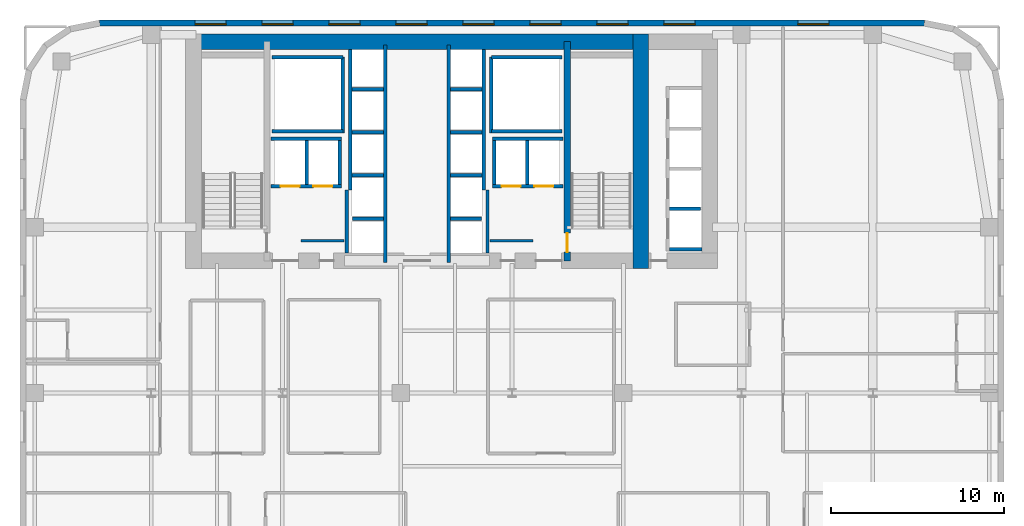
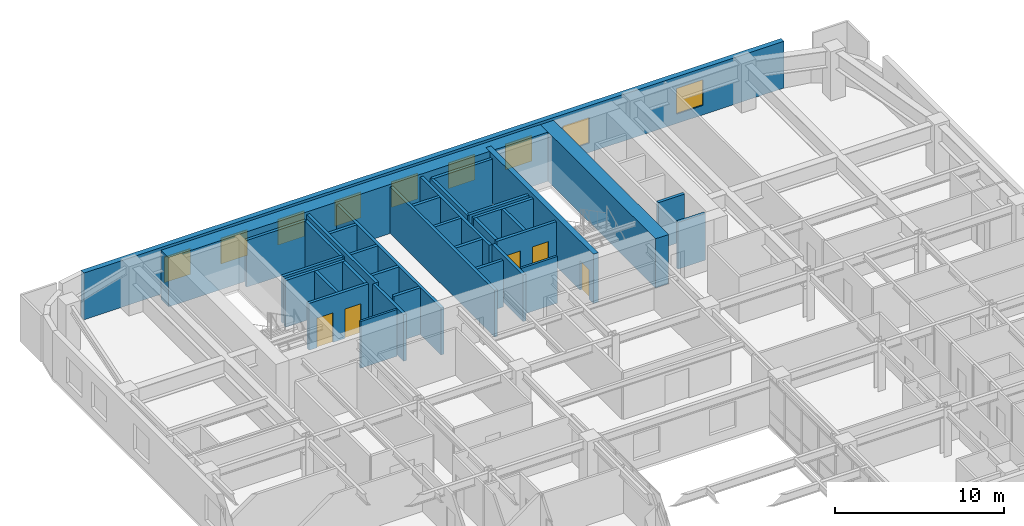
# One storey, part 14 of 16: 36 walls, 9 windows, 5 doors, 14 openings.
"""IFC4 building model written with IfcOpenShell, lengths in metres."""

import ifcopenshell
import ifcopenshell.guid

model = None  # the IFC model being written
_history = None  # IfcOwnerHistory: only IFC2X3 demands one
_inside = {}  # id of a spatial element -> (the spatial element, [elements in it])
_under = {}  # id of a project, library or spatial element -> (it, [spatial elements below it])
_declared = {}  # id of a project -> (the project, [libraries it declares])
_typed = {}  # id of a type object -> (the type object, [elements of that type])
_made_of = {}  # id of a material, layer set ... -> (it, [elements and type objects made of it])


def new_model(schema):
    """Start an empty IFC model of exactly this schema.

    Asked for "IFC4X3", IfcOpenShell would pick the latest addendum, in which some entities
    have other attributes; the version numbers below select the first issue.
    IFC2X3 requires an IfcOwnerHistory on every rooted entity: one is made here for all.
    """
    global model, _history
    if schema == "IFC4X3":
        model = ifcopenshell.file(schema_version=(4, 3, 0, 0))
    else:
        model = ifcopenshell.file(schema=schema)
    _inside.clear()
    _under.clear()
    _declared.clear()
    _typed.clear()
    _made_of.clear()
    _history = None
    if model.schema == "IFC2X3":
        org = make("IfcOrganization", Name="unknown")
        user = make(
            "IfcPersonAndOrganization",
            ThePerson=make("IfcPerson", FamilyName="unknown"),
            TheOrganization=org,
        )
        app = make(
            "IfcApplication",
            ApplicationDeveloper=org,
            Version="unknown",
            ApplicationFullName="unknown",
            ApplicationIdentifier="unknown",
        )
        _history = make(
            "IfcOwnerHistory",
            OwningUser=user,
            OwningApplication=app,
            ChangeAction="ADDED",
            CreationDate=0,
        )
    return model


def make(cls, **values):
    """One entity of the class cls with the attributes given. An attribute that is None is left unset."""
    return model.create_entity(
        cls, **{name: value for name, value in values.items() if value is not None}
    )


def rooted(cls, **values):
    """An entity with a GlobalId (a new one), such as an element, a storey or a relation."""
    return make(cls, GlobalId=ifcopenshell.guid.new(), OwnerHistory=_history, **values)


def si_unit(unit_type, name, prefix=None):
    """IfcSIUnit, for example si_unit("LENGTHUNIT", "METRE", prefix="MILLI")."""
    return make("IfcSIUnit", UnitType=unit_type, Prefix=prefix, Name=name)


def assignment(units):
    """IfcUnitAssignment: the units of a project."""
    return None if units is None else make("IfcUnitAssignment", Units=units)


def point(xyz):
    """IfcCartesianPoint."""
    return None if xyz is None else make("IfcCartesianPoint", Coordinates=xyz)


def direction(xyz):
    """IfcDirection."""
    return None if xyz is None else make("IfcDirection", DirectionRatios=xyz)


def frame(location, z_axis=None, x_axis=None):
    """IfcAxis2Placement3D, a coordinate frame: its origin and axes. An axis left out is left unset."""
    return make(
        "IfcAxis2Placement3D",
        Location=point(location),
        Axis=direction(z_axis),
        RefDirection=direction(x_axis),
    )


def frame_2d(location, x_axis=None):
    """IfcAxis2Placement2D, a coordinate frame in the plane: its origin and x axis."""
    return make(
        "IfcAxis2Placement2D", Location=point(location), RefDirection=direction(x_axis)
    )


def origin():
    """The frame at (0, 0, 0) with its axes left unset."""
    return frame((0.0, 0.0, 0.0))


def place(relative_to, where):
    """IfcLocalPlacement: puts the frame where relative to a parent placement (None: the world)."""
    return make(
        "IfcLocalPlacement", PlacementRelTo=relative_to, RelativePlacement=where
    )


def context(
    kind, dimensions, precision=None, world=None, true_north=None, identifier=None
):
    """IfcGeometricRepresentationContext, for example the 3D "Model" context."""
    return make(
        "IfcGeometricRepresentationContext",
        ContextIdentifier=identifier,
        ContextType=kind,
        CoordinateSpaceDimension=dimensions,
        Precision=precision,
        WorldCoordinateSystem=world,
        TrueNorth=true_north,
    )


def subcontext(parent, identifier, kind, view, scale=None):
    """IfcGeometricRepresentationSubContext, for example "Body" below "Model"."""
    return make(
        "IfcGeometricRepresentationSubContext",
        ContextIdentifier=identifier,
        ContextType=kind,
        ParentContext=parent,
        TargetScale=scale,
        TargetView=view,
    )


def project(units=None, contexts=None):
    """IfcProject with its units and contexts."""
    return rooted(
        "IfcProject",
        Name="project",
        RepresentationContexts=contexts,
        UnitsInContext=assignment(units),
    )


def spatial(cls, under=None, at=None, **own):
    """A site, building, storey or space (cls), placed at a placement, below another one or the project."""
    s = rooted(cls, ObjectPlacement=at, **own)
    if under is not None:
        _under.setdefault(under.id(), (under, []))[1].append(s)
    return s


def profile(cls, at=None, kind="AREA", **sizes):
    """A parametric profile (cls). Its sizes go by their IFC names, for example OverallWidth=200.0."""
    return make(cls, ProfileType=kind, Position=at, **sizes)


def rectangle(**sizes):
    """IfcRectangleProfileDef."""
    return profile("IfcRectangleProfileDef", **sizes)


def extrude(swept, where, along, depth):
    """IfcExtrudedAreaSolid: the profile swept, set in the frame where, extruded along a direction by depth."""
    return make(
        "IfcExtrudedAreaSolid",
        SweptArea=swept,
        Position=where,
        ExtrudedDirection=direction(along),
        Depth=depth,
    )


def shape(context_of_items, identifier, shape_type, items):
    """IfcShapeRepresentation: the items that make up one representation, for example the "Body"."""
    return make(
        "IfcShapeRepresentation",
        ContextOfItems=context_of_items,
        RepresentationIdentifier=identifier,
        RepresentationType=shape_type,
        Items=items,
    )


def source(mapping_origin, context_of_items, identifier, shape_type, items):
    """IfcRepresentationMap: a shape defined once, which mapped items show again and again."""
    return make(
        "IfcRepresentationMap",
        MappingOrigin=mapping_origin,
        MappedRepresentation=shape(context_of_items, identifier, shape_type, items),
    )


def transform(
    local_origin,
    x_axis=None,
    y_axis=None,
    z_axis=None,
    scale=None,
    scale2=None,
    scale3=None,
    uniform=True,
):
    """IfcCartesianTransformationOperator3D, or its non-uniform kind. x_axis, y_axis, z_axis: its Axis1, 2, 3."""
    if uniform:
        return make(
            "IfcCartesianTransformationOperator3D",
            Axis1=direction(x_axis),
            Axis2=direction(y_axis),
            LocalOrigin=point(local_origin),
            Scale=scale,
            Axis3=direction(z_axis),
        )
    return make(
        "IfcCartesianTransformationOperator3DnonUniform",
        Axis1=direction(x_axis),
        Axis2=direction(y_axis),
        LocalOrigin=point(local_origin),
        Scale=scale,
        Axis3=direction(z_axis),
        Scale2=scale2,
        Scale3=scale3,
    )


def mapped(mapping_source, mapping_target):
    """IfcMappedItem: shows the shape of a source again, moved by a transform."""
    return make(
        "IfcMappedItem", MappingSource=mapping_source, MappingTarget=mapping_target
    )


def material(Name=None, Category=None):
    """IfcMaterial."""
    return make("IfcMaterial", Name=Name, Category=Category)


def layer(
    of_material, thickness, ventilated=None, Name=None, Category=None, Priority=None
):
    """IfcMaterialLayer: one layer of a wall or slab, of a material (None: an air gap)."""
    return make(
        "IfcMaterialLayer",
        Material=of_material,
        LayerThickness=thickness,
        IsVentilated=ventilated,
        Name=Name,
        Category=Category,
        Priority=Priority,
    )


def layer_set(layers, Name=None):
    """IfcMaterialLayerSet."""
    return make("IfcMaterialLayerSet", MaterialLayers=layers, LayerSetName=Name)


def made_of(thing, what):
    """Note that an element or type object is made of a material, layer set ...; save() writes the relation."""
    if what is not None:
        _made_of.setdefault(what.id(), (what, []))[1].append(thing)
    return thing


def type_object(cls, material=None, **own):
    """A type object (cls), such as IfcWallType, which elements share."""
    return made_of(rooted(cls, **own), material)


def type_shapes(of_type, sources):
    """Give a type object the sources (RepresentationMaps) that its elements show as mapped items."""
    of_type.RepresentationMaps = sources


def element(
    cls,
    number,
    at=None,
    inside=None,
    cuts=None,
    type_object=None,
    material=None,
    context=None,
    identifier="Body",
    shape_type=None,
    held_by="IfcProductDefinitionShape",
    body=None,
    shapes=None,
    **own,
):
    """One element of the class cls, such as IfcWall. Its Tag is "e" and its number.

    at: its placement. inside: the storey or other place that contains it. cuts: it is an
    opening in that element (IfcRelVoidsElement). A single representation is given by context,
    identifier, shape_type and body (its items); several are given by shapes. held_by: the class
    of the entity that holds the representations. save() writes the other relations.
    """
    e = rooted(cls, Tag="e%d" % number, ObjectPlacement=at, **own)
    if body is not None:
        shapes = [shape(context, identifier, shape_type, body)]
    if shapes is not None:
        e.Representation = make(held_by, Representations=shapes)
    if inside is not None:
        _inside.setdefault(inside.id(), (inside, []))[1].append(e)
    if cuts is not None:
        rooted(
            "IfcRelVoidsElement", RelatingBuildingElement=cuts, RelatedOpeningElement=e
        )
    if type_object is not None:
        _typed.setdefault(type_object.id(), (type_object, []))[1].append(e)
    return made_of(e, material)


def fill(opening, filler):
    """IfcRelFillsElement: the door or window that sits in an opening."""
    return rooted(
        "IfcRelFillsElement",
        RelatingOpeningElement=opening,
        RelatedBuildingElement=filler,
    )


def aggregate(whole, parts):
    """IfcRelAggregates: a whole, such as a stair, and the parts it consists of."""
    return rooted("IfcRelAggregates", RelatingObject=whole, RelatedObjects=parts)


def save(model, path):
    """Write the relations noted so far, then the file.

    IfcRelAggregates (storeys below a building ...), IfcRelContainedInSpatialStructure (elements
    in a storey), IfcRelDefinesByType, IfcRelAssociatesMaterial and IfcRelDeclares: one each for
    every whole, place, type object, material and project.
    """
    for whole, parts in _under.values():
        aggregate(whole, parts)
    for where, things in _inside.values():
        rooted(
            "IfcRelContainedInSpatialStructure",
            RelatedElements=things,
            RelatingStructure=where,
        )
    for kind, things in _typed.values():
        rooted("IfcRelDefinesByType", RelatedObjects=things, RelatingType=kind)
    for what, things in _made_of.values():
        rooted("IfcRelAssociatesMaterial", RelatedObjects=things, RelatingMaterial=what)
    for by, libraries in _declared.values():
        rooted("IfcRelDeclares", RelatingContext=by, RelatedDefinitions=libraries)
    model.write(path)


model = new_model("IFC4")

# Units and contexts
model_context = context("Model", 3, precision=1e-05, world=origin(), true_north=direction((0.0, 1.0)))
body_context = subcontext(model_context, "Body", "Model", "MODEL_VIEW")
ifc_project = project(units=[si_unit("LENGTHUNIT", "METRE"), si_unit("AREAUNIT", "SQUARE_METRE"), si_unit("VOLUMEUNIT", "CUBIC_METRE"), si_unit("PLANEANGLEUNIT", "RADIAN"), si_unit("MASSUNIT", "GRAM", prefix="KILO")], contexts=[model_context])

# Site, building, storey
site_placement = place(None, origin())
site = spatial("IfcSite", under=ifc_project, at=site_placement, CompositionType="ELEMENT")
building_placement = place(site_placement, origin())
building = spatial("IfcBuilding", under=site, at=building_placement, Name="Tolvann Quenvar Hotel", CompositionType="ELEMENT")
storey_placement = place(building_placement, frame((0.0, 0.0, 71.050048828125)))
storey = spatial("IfcBuildingStorey", under=building, at=storey_placement, Name="L17", CompositionType="ELEMENT", Elevation=71.050048828125)

# Walls
ifc_material_1 = material(Name="Concrete S80 (80 MPa)", Category="concrete")
ifc_layer_1 = layer(ifc_material_1, 0.89990234375)
ifc_layer_set_1 = layer_set([ifc_layer_1], Name="Concrete S80 (80 MPa)")
wall_type_1 = type_object("IfcWallType", Name="WALL_CORE_900", PredefinedType="SHEAR", material=ifc_layer_set_1)
wall_1_placement = place(storey_placement, frame((9.60009765625, 44.75, 0.0), z_axis=(0.0, 0.0, 1.0), x_axis=(1.0, 0.0, 0.0)))
element("IfcWall", 1, at=wall_1_placement, inside=storey, type_object=wall_type_1, Name="Rear Core N Shear Wall (L17)", PredefinedType="SHEAR", context=body_context, shape_type="SweptSolid", body=[
    extrude(rectangle(XDim=26.7998046875, YDim=0.89990234375, at=frame_2d((13.39990234375, 0.0))), origin(), (0.0, 0.0, 1.0), 3.550048828125),
])
wall_2_placement = place(storey_placement, frame((35.949951171875, 31.60009765625, 0.0), z_axis=(0.0, 0.0, 1.0), x_axis=(0.0, 1.0, 0.0)))
element("IfcWall", 2, at=wall_2_placement, inside=storey, type_object=wall_type_1, Name="Rear Core E Shear Wall (L17)", PredefinedType="SHEAR", context=body_context, shape_type="SweptSolid", body=[
    extrude(rectangle(XDim=13.599853515625, YDim=0.89990234375, at=frame_2d((6.7998046875, 0.0))), origin(), (0.0, 0.0, 1.0), 3.550048828125),
])

# Wall, opening, door
ifc_material_2 = material(Name="Concrete S65 (65 MPa)", Category="concrete")
ifc_layer_2 = layer(ifc_material_2, 0.35009765625)
ifc_layer_set_2 = layer_set([ifc_layer_2], Name="Concrete S65 (65 MPa)")
wall_type_2 = type_object("IfcWallType", Name="WALL_CORE_INT_350", PredefinedType="SHEAR", material=ifc_layer_set_2)
wall_3_placement = place(storey_placement, frame((31.699951171875, 32.050048828125, 0.0), z_axis=(0.0, 0.0, 1.0), x_axis=(0.0, 1.0, 0.0)))
wall_3 = element("IfcWall", 3, at=wall_3_placement, inside=storey, type_object=wall_type_2, Name="Core Internal Web Shear Wall WEB-E (L17)", PredefinedType="SHEAR", context=body_context, shape_type="SweptSolid", body=[
    extrude(rectangle(XDim=12.699951171875, YDim=0.35009765625, at=frame_2d((6.35009765625, 0.0))), origin(), (0.0, 0.0, 1.0), 3.550048828125),
])
opening_1_placement = place(wall_3_placement, frame((1.60009765625, 0.0, 0.0), z_axis=(0.0, 0.0, 1.0), x_axis=(-1.0, 0.0, 0.0)))
opening_1 = element("IfcOpeningElement", 4, at=opening_1_placement, cuts=wall_3, Name="Opening FD-120", PredefinedType="OPENING", context=body_context, shape_type="SweptSolid", body=[
    extrude(rectangle(XDim=1.10009765625, YDim=2.1201171875, at=frame_2d((0.550048828125, 1.06005859375))), frame((0.0, 0.18505859375, 0.0), z_axis=(0.0, -1.0, 0.0), x_axis=(1.0, 0.0, 0.0)), (0.0, 0.0, 1.0), 0.3701171875),
])
ifc_material_3 = material(Name="Pressed galvanised steel fire-rated door set", Category="steel")
door_type_1 = type_object("IfcDoorType", Name="DOOR_FIRE_STAIR_1100", OperationType="NOTDEFINED", PredefinedType="DOOR", material=ifc_material_3)
shared_shape_1 = source(origin(), body_context, "Body", "SweptSolid", [
    extrude(rectangle(XDim=1.10009765625, YDim=2.1201171875, at=frame_2d((0.550048828125, 1.06005859375))), frame((0.0, 0.02490234375, 0.0), z_axis=(0.0, -1.0, 0.0), x_axis=(1.0, 0.0, 0.0)), (0.0, 0.0, 1.0), 0.050048828125),
])
type_shapes(door_type_1, [shared_shape_1])
door_1_placement = place(opening_1_placement, origin())
door_1 = element("IfcDoor", 5, at=door_1_placement, inside=storey, type_object=door_type_1, Name="Exit Stair ST-C2 Fire Door (L17)", OperationType="SINGLE_SWING_RIGHT", OverallHeight=2.1201171875, OverallWidth=1.10009765625, PredefinedType="DOOR", context=body_context, shape_type="MappedRepresentation", body=[
    mapped(shared_shape_1, transform((0.0, 0.0, 0.0), x_axis=(1.0, 0.0, 0.0), y_axis=(0.0, 1.0, 0.0), z_axis=(0.0, 0.0, 1.0), scale=1.0)),
])
fill(opening_1, door_1)

# Wall, openings, windows
ifc_material_4 = material(Name="Kiln-fired red and buff architectural clay brickwork and terracotta masonry", Category="masonry")
ifc_layer_3 = layer(ifc_material_4, 0.35009765625)
ifc_layer_set_3 = layer_set([ifc_layer_3], Name="Kiln-fired red and buff architectural clay brickwork and terracotta masonry")
wall_type_3 = type_object("IfcWallType", Name="WALL_EXT_BRICK_350", PredefinedType="SOLIDWALL", material=ifc_layer_set_3)
wall_4_placement = place(storey_placement, frame((52.3828125, 45.824951171875, 0.0), z_axis=(0.0, 0.0, 1.0), x_axis=(-1.0, 0.0, 0.0)))
wall_4 = element("IfcWall", 6, at=wall_4_placement, inside=storey, type_object=wall_type_3, Name="Exterior Chicago Brick Wall L17-E18", PredefinedType="SOLIDWALL", context=body_context, shape_type="SweptSolid", body=[
    extrude(rectangle(XDim=47.765625, YDim=0.35009765625, at=frame_2d((23.8828125, 0.0))), origin(), (0.0, 0.0, 1.0), 3.369873046875),
])
opening_2_placement = place(wall_4_placement, frame((5.52099609375, 0.0, 0.679931640625)))
opening_2 = element("IfcOpeningElement", 7, at=opening_2_placement, cuts=wall_4, Name="Opening W-03", PredefinedType="OPENING", context=body_context, shape_type="SweptSolid", body=[
    extrude(rectangle(XDim=1.800048828125, YDim=1.85009765625, at=frame_2d((0.89990234375, 0.925048828125))), frame((0.0, 0.18505859375, 0.0), z_axis=(0.0, -1.0, 0.0), x_axis=(1.0, 0.0, 0.0)), (0.0, 0.0, 1.0), 0.3701171875),
])
opening_3_placement = place(wall_4_placement, frame((13.281982421875, 0.0, 0.679931640625)))
opening_3 = element("IfcOpeningElement", 8, at=opening_3_placement, cuts=wall_4, Name="Opening W-03", PredefinedType="OPENING", context=body_context, shape_type="SweptSolid", body=[
    extrude(rectangle(XDim=1.800048828125, YDim=1.85009765625, at=frame_2d((0.89990234375, 0.925048828125))), frame((0.0, 0.18505859375, 0.0), z_axis=(0.0, -1.0, 0.0), x_axis=(1.0, 0.0, 0.0)), (0.0, 0.0, 1.0), 0.3701171875),
])
opening_4_placement = place(wall_4_placement, frame((17.162109375, 0.0, 0.679931640625)))
opening_4 = element("IfcOpeningElement", 9, at=opening_4_placement, cuts=wall_4, Name="Opening W-03", PredefinedType="OPENING", context=body_context, shape_type="SweptSolid", body=[
    extrude(rectangle(XDim=1.800048828125, YDim=1.85009765625, at=frame_2d((0.89990234375, 0.925048828125))), frame((0.0, 0.18505859375, 0.0), z_axis=(0.0, -1.0, 0.0), x_axis=(1.0, 0.0, 0.0)), (0.0, 0.0, 1.0), 0.3701171875),
])
opening_5_placement = place(wall_4_placement, frame((21.04296875, 0.0, 0.679931640625)))
opening_5 = element("IfcOpeningElement", 10, at=opening_5_placement, cuts=wall_4, Name="Opening W-03", PredefinedType="OPENING", context=body_context, shape_type="SweptSolid", body=[
    extrude(rectangle(XDim=1.800048828125, YDim=1.85009765625, at=frame_2d((0.89990234375, 0.925048828125))), frame((0.0, 0.18505859375, 0.0), z_axis=(0.0, -1.0, 0.0), x_axis=(1.0, 0.0, 0.0)), (0.0, 0.0, 1.0), 0.3701171875),
])
opening_6_placement = place(wall_4_placement, frame((24.923095703125, 0.0, 0.679931640625)))
opening_6 = element("IfcOpeningElement", 11, at=opening_6_placement, cuts=wall_4, Name="Opening W-03", PredefinedType="OPENING", context=body_context, shape_type="SweptSolid", body=[
    extrude(rectangle(XDim=1.800048828125, YDim=1.85009765625, at=frame_2d((0.89990234375, 0.925048828125))), frame((0.0, 0.18505859375, 0.0), z_axis=(0.0, -1.0, 0.0), x_axis=(1.0, 0.0, 0.0)), (0.0, 0.0, 1.0), 0.3701171875),
])
opening_7_placement = place(wall_4_placement, frame((28.803955078125, 0.0, 0.679931640625)))
opening_7 = element("IfcOpeningElement", 12, at=opening_7_placement, cuts=wall_4, Name="Opening W-03", PredefinedType="OPENING", context=body_context, shape_type="SweptSolid", body=[
    extrude(rectangle(XDim=1.800048828125, YDim=1.85009765625, at=frame_2d((0.89990234375, 0.925048828125))), frame((0.0, 0.18505859375, 0.0), z_axis=(0.0, -1.0, 0.0), x_axis=(1.0, 0.0, 0.0)), (0.0, 0.0, 1.0), 0.3701171875),
])
opening_8_placement = place(wall_4_placement, frame((32.68408203125, 0.0, 0.679931640625)))
opening_8 = element("IfcOpeningElement", 13, at=opening_8_placement, cuts=wall_4, Name="Opening W-03", PredefinedType="OPENING", context=body_context, shape_type="SweptSolid", body=[
    extrude(rectangle(XDim=1.800048828125, YDim=1.85009765625, at=frame_2d((0.89990234375, 0.925048828125))), frame((0.0, 0.18505859375, 0.0), z_axis=(0.0, -1.0, 0.0), x_axis=(1.0, 0.0, 0.0)), (0.0, 0.0, 1.0), 0.3701171875),
])
opening_9_placement = place(wall_4_placement, frame((36.56396484375, 0.0, 0.679931640625)))
opening_9 = element("IfcOpeningElement", 14, at=opening_9_placement, cuts=wall_4, Name="Opening W-03", PredefinedType="OPENING", context=body_context, shape_type="SweptSolid", body=[
    extrude(rectangle(XDim=1.800048828125, YDim=1.85009765625, at=frame_2d((0.89990234375, 0.925048828125))), frame((0.0, 0.18505859375, 0.0), z_axis=(0.0, -1.0, 0.0), x_axis=(1.0, 0.0, 0.0)), (0.0, 0.0, 1.0), 0.3701171875),
])
opening_10_placement = place(wall_4_placement, frame((40.445068359375, 0.0, 0.679931640625)))
opening_10 = element("IfcOpeningElement", 15, at=opening_10_placement, cuts=wall_4, Name="Opening W-03", PredefinedType="OPENING", context=body_context, shape_type="SweptSolid", body=[
    extrude(rectangle(XDim=1.800048828125, YDim=1.85009765625, at=frame_2d((0.89990234375, 0.925048828125))), frame((0.0, 0.18505859375, 0.0), z_axis=(0.0, -1.0, 0.0), x_axis=(1.0, 0.0, 0.0)), (0.0, 0.0, 1.0), 0.3701171875),
])
ifc_material_5 = material(Name="Thermally broken bronze-anodised aluminium frame with double low-E glazing", Category="aluminium")
window_type = type_object("IfcWindowType", Name="WIN_CHI_1800x2050", PartitioningType="TRIPLE_PANEL_HORIZONTAL", PredefinedType="WINDOW", material=ifc_material_5)
shared_shape_2 = source(origin(), body_context, "Body", "SweptSolid", [
    extrude(rectangle(XDim=1.800048828125, YDim=1.85009765625, at=frame_2d((0.89990234375, 0.925048828125))), frame((0.0, 0.090087890625, 0.0), z_axis=(0.0, -1.0, 0.0), x_axis=(1.0, 0.0, 0.0)), (0.0, 0.0, 1.0), 0.06005859375),
])
type_shapes(window_type, [shared_shape_2])
window_1_placement = place(opening_2_placement, origin())
window_1 = element("IfcWindow", 16, at=window_1_placement, inside=storey, type_object=window_type, Name="Chicago Window W-03 (EW-L17-E18-W01)", OverallHeight=1.85009765625, OverallWidth=1.800048828125, PartitioningType="TRIPLE_PANEL_HORIZONTAL", PredefinedType="WINDOW", context=body_context, shape_type="MappedRepresentation", body=[
    mapped(shared_shape_2, transform((0.0, 0.0, 0.0), x_axis=(1.0, 0.0, 0.0), y_axis=(0.0, 1.0, 0.0), z_axis=(0.0, 0.0, 1.0), scale=1.0)),
])
fill(opening_2, window_1)
window_2_placement = place(opening_3_placement, origin())
window_2 = element("IfcWindow", 17, at=window_2_placement, inside=storey, type_object=window_type, Name="Chicago Window W-03 (EW-L17-E18-W02)", OverallHeight=1.85009765625, OverallWidth=1.800048828125, PartitioningType="TRIPLE_PANEL_HORIZONTAL", PredefinedType="WINDOW", context=body_context, shape_type="MappedRepresentation", body=[
    mapped(shared_shape_2, transform((0.0, 0.0, 0.0), x_axis=(1.0, 0.0, 0.0), y_axis=(0.0, 1.0, 0.0), z_axis=(0.0, 0.0, 1.0), scale=1.0)),
])
fill(opening_3, window_2)
window_3_placement = place(opening_4_placement, origin())
window_3 = element("IfcWindow", 18, at=window_3_placement, inside=storey, type_object=window_type, Name="Chicago Window W-03 (EW-L17-E18-W03)", OverallHeight=1.85009765625, OverallWidth=1.800048828125, PartitioningType="TRIPLE_PANEL_HORIZONTAL", PredefinedType="WINDOW", context=body_context, shape_type="MappedRepresentation", body=[
    mapped(shared_shape_2, transform((0.0, 0.0, 0.0), x_axis=(1.0, 0.0, 0.0), y_axis=(0.0, 1.0, 0.0), z_axis=(0.0, 0.0, 1.0), scale=1.0)),
])
fill(opening_4, window_3)
window_4_placement = place(opening_5_placement, origin())
window_4 = element("IfcWindow", 19, at=window_4_placement, inside=storey, type_object=window_type, Name="Chicago Window W-03 (EW-L17-E18-W04)", OverallHeight=1.85009765625, OverallWidth=1.800048828125, PartitioningType="TRIPLE_PANEL_HORIZONTAL", PredefinedType="WINDOW", context=body_context, shape_type="MappedRepresentation", body=[
    mapped(shared_shape_2, transform((0.0, 0.0, 0.0), x_axis=(1.0, 0.0, 0.0), y_axis=(0.0, 1.0, 0.0), z_axis=(0.0, 0.0, 1.0), scale=1.0)),
])
fill(opening_5, window_4)
window_5_placement = place(opening_6_placement, origin())
window_5 = element("IfcWindow", 20, at=window_5_placement, inside=storey, type_object=window_type, Name="Chicago Window W-03 (EW-L17-E18-W05)", OverallHeight=1.85009765625, OverallWidth=1.800048828125, PartitioningType="TRIPLE_PANEL_HORIZONTAL", PredefinedType="WINDOW", context=body_context, shape_type="MappedRepresentation", body=[
    mapped(shared_shape_2, transform((0.0, 0.0, 0.0), x_axis=(1.0, 0.0, 0.0), y_axis=(0.0, 1.0, 0.0), z_axis=(0.0, 0.0, 1.0), scale=1.0)),
])
fill(opening_6, window_5)
window_6_placement = place(opening_7_placement, origin())
window_6 = element("IfcWindow", 21, at=window_6_placement, inside=storey, type_object=window_type, Name="Chicago Window W-03 (EW-L17-E18-W06)", OverallHeight=1.85009765625, OverallWidth=1.800048828125, PartitioningType="TRIPLE_PANEL_HORIZONTAL", PredefinedType="WINDOW", context=body_context, shape_type="MappedRepresentation", body=[
    mapped(shared_shape_2, transform((0.0, 0.0, 0.0), x_axis=(1.0, 0.0, 0.0), y_axis=(0.0, 1.0, 0.0), z_axis=(0.0, 0.0, 1.0), scale=1.0)),
])
fill(opening_7, window_6)
window_7_placement = place(opening_8_placement, origin())
window_7 = element("IfcWindow", 22, at=window_7_placement, inside=storey, type_object=window_type, Name="Chicago Window W-03 (EW-L17-E18-W07)", OverallHeight=1.85009765625, OverallWidth=1.800048828125, PartitioningType="TRIPLE_PANEL_HORIZONTAL", PredefinedType="WINDOW", context=body_context, shape_type="MappedRepresentation", body=[
    mapped(shared_shape_2, transform((0.0, 0.0, 0.0), x_axis=(1.0, 0.0, 0.0), y_axis=(0.0, 1.0, 0.0), z_axis=(0.0, 0.0, 1.0), scale=1.0)),
])
fill(opening_8, window_7)
window_8_placement = place(opening_9_placement, origin())
window_8 = element("IfcWindow", 23, at=window_8_placement, inside=storey, type_object=window_type, Name="Chicago Window W-03 (EW-L17-E18-W08)", OverallHeight=1.85009765625, OverallWidth=1.800048828125, PartitioningType="TRIPLE_PANEL_HORIZONTAL", PredefinedType="WINDOW", context=body_context, shape_type="MappedRepresentation", body=[
    mapped(shared_shape_2, transform((0.0, 0.0, 0.0), x_axis=(1.0, 0.0, 0.0), y_axis=(0.0, 1.0, 0.0), z_axis=(0.0, 0.0, 1.0), scale=1.0)),
])
fill(opening_9, window_8)
window_9_placement = place(opening_10_placement, origin())
window_9 = element("IfcWindow", 24, at=window_9_placement, inside=storey, type_object=window_type, Name="Chicago Window W-03 (EW-L17-E18-W09)", OverallHeight=1.85009765625, OverallWidth=1.800048828125, PartitioningType="TRIPLE_PANEL_HORIZONTAL", PredefinedType="WINDOW", context=body_context, shape_type="MappedRepresentation", body=[
    mapped(shared_shape_2, transform((0.0, 0.0, 0.0), x_axis=(1.0, 0.0, 0.0), y_axis=(0.0, 1.0, 0.0), z_axis=(0.0, 0.0, 1.0), scale=1.0)),
])
fill(opening_10, window_9)

# Walls
ifc_material_6 = material(Name="Acoustic twin-stud fire-rated gypsum plasterboard partition")
ifc_layer_4 = layer(ifc_material_6, 0.14990234375)
ifc_layer_set_4 = layer_set([ifc_layer_4], Name="Acoustic twin-stud fire-rated gypsum plasterboard partition")
wall_type_4 = type_object("IfcWallType", Name="WALL_PART_SUITE_150", PredefinedType="PARTITIONING", material=ifc_layer_set_4)
for number, where, z_axis, x_axis, name in (
    (25, (16.280029296875, 33.219970703125, 0.0), (0.0, 0.0, 1.0), (1.0, 0.0, 0.0), "Interior Partition PT-SPC-L17-CSW-1-N"),
    (26, (27.235107421875, 33.219970703125, 0.0), (0.0, 0.0, 1.0), (1.0, 0.0, 0.0), "Interior Partition PT-SPC-L17-CSE-2-N"),
):
    element("IfcWall", number, at=place(storey_placement, frame(where, z_axis=z_axis, x_axis=x_axis)), inside=storey, type_object=wall_type_4, Name=name, PredefinedType="PARTITIONING", context=body_context, shape_type="SweptSolid", body=[
        extrude(rectangle(XDim=2.48486328125, YDim=0.14990234375, at=frame_2d((1.242431640625, 0.0))), origin(), (0.0, 0.0, 1.0), 3.369873046875),
    ])
ifc_material_7 = material(Name="Concrete N40 (40 MPa)", Category="concrete")
ifc_layer_5 = layer(ifc_material_7, 0.199951171875)
ifc_layer_set_5 = layer_set([ifc_layer_5], Name="Concrete N40 (40 MPa)")
wall_type_5 = type_object("IfcWallType", Name="WALL_SHAFT_200", PredefinedType="SOLIDWALL", material=ifc_layer_set_5)
wall_5_placement = place(storey_placement, frame((18.699951171875, 39.449951171875, 0.0), z_axis=(0.0, 0.0, 1.0), x_axis=(0.0, 1.0, 0.0)))
element("IfcWall", 27, at=wall_5_placement, inside=storey, type_object=wall_type_5, Name="Service Riser W Shaft Wall IN (L17)", PredefinedType="SOLIDWALL", context=body_context, shape_type="SweptSolid", body=[
    extrude(rectangle(XDim=4.400146484375, YDim=0.199951171875, at=frame_2d((2.2001953125, 0.0))), origin(), (0.0, 0.0, 1.0), 3.369873046875),
])
for number, where, z_axis, x_axis, name in (
    (28, (14.60009765625, 39.550048828125, 0.0), (0.0, 0.0, 1.0), (1.0, 0.0, 0.0), "Service Riser W Shaft Wall S (L17)"),
    (29, (14.60009765625, 43.85009765625, 0.0), (0.0, 0.0, 1.0), (1.0, 0.0, 0.0), "Service Riser W Shaft Wall N (L17)"),
):
    element("IfcWall", number, at=place(storey_placement, frame(where, z_axis=z_axis, x_axis=x_axis)), inside=storey, type_object=wall_type_5, Name=name, PredefinedType="SOLIDWALL", context=body_context, shape_type="SweptSolid", body=[
        extrude(rectangle(XDim=4.099853515625, YDim=0.199951171875, at=frame_2d((2.0498046875, 0.0))), origin(), (0.0, 0.0, 1.0), 3.369873046875),
    ])
wall_6_placement = place(storey_placement, frame((27.300048828125, 39.449951171875, 0.0), z_axis=(0.0, 0.0, 1.0), x_axis=(0.0, 1.0, 0.0)))
element("IfcWall", 30, at=wall_6_placement, inside=storey, type_object=wall_type_5, Name="Service Riser E Shaft Wall IN (L17)", PredefinedType="SOLIDWALL", context=body_context, shape_type="SweptSolid", body=[
    extrude(rectangle(XDim=4.400146484375, YDim=0.199951171875, at=frame_2d((2.2001953125, 0.0))), origin(), (0.0, 0.0, 1.0), 3.369873046875),
])
for number, where, z_axis, x_axis, name in (
    (31, (27.300048828125, 39.550048828125, 0.0), (0.0, 0.0, 1.0), (1.0, 0.0, 0.0), "Service Riser E Shaft Wall S (L17)"),
    (32, (27.300048828125, 43.85009765625, 0.0), (0.0, 0.0, 1.0), (1.0, 0.0, 0.0), "Service Riser E Shaft Wall N (L17)"),
):
    element("IfcWall", number, at=place(storey_placement, frame(where, z_axis=z_axis, x_axis=x_axis)), inside=storey, type_object=wall_type_5, Name=name, PredefinedType="SOLIDWALL", context=body_context, shape_type="SweptSolid", body=[
        extrude(rectangle(XDim=4.099853515625, YDim=0.199951171875, at=frame_2d((2.0498046875, 0.0))), origin(), (0.0, 0.0, 1.0), 3.369873046875),
    ])
for number, where, z_axis, x_axis, name in (
    (33, (18.919921875, 32.50390625, 0.0), (0.0, 0.0, 1.0), (0.0, 1.0, 0.0), "Firefighting Lobby W Inner Fire Wall (L17)"),
    (34, (27.080078125, 32.50390625, 0.0), (0.0, 0.0, 1.0), (0.0, 1.0, 0.0), "Firefighting Lobby E Inner Fire Wall (L17)"),
):
    element("IfcWall", number, at=place(storey_placement, frame(where, z_axis=z_axis, x_axis=x_axis)), inside=storey, type_object=wall_type_5, Name=name, PredefinedType="SOLIDWALL", context=body_context, shape_type="SweptSolid", body=[
        extrude(rectangle(XDim=3.64599609375, YDim=0.199951171875, at=frame_2d((1.822998046875, 0.0))), origin(), (0.0, 0.0, 1.0), 3.369873046875),
    ])
wall_7_placement = place(storey_placement, frame((21.169921875, 31.9599609375, 0.0), z_axis=(0.0, 0.0, 1.0), x_axis=(0.0, 1.0, 0.0)))
element("IfcWall", 35, at=wall_7_placement, inside=storey, type_object=wall_type_5, Name="Lift Bank E21.1C1 Hoistway Front Wall (L17)", PredefinedType="SOLIDWALL", context=body_context, shape_type="SweptSolid", body=[
    extrude(rectangle(XDim=12.580078125, YDim=0.199951171875, at=frame_2d((6.2900390625, 0.0))), origin(), (0.0, 0.0, 1.0), 3.369873046875),
])
wall_8_placement = place(storey_placement, frame((19.1298828125, 36.159912109375, 0.0), z_axis=(0.0, 0.0, 1.0), x_axis=(0.0, 1.0, 0.0)))
element("IfcWall", 36, at=wall_8_placement, inside=storey, type_object=wall_type_5, Name="Lift Bank E21.1C1 Hoistway Rear Wall (L17)", PredefinedType="SOLIDWALL", context=body_context, shape_type="SweptSolid", body=[
    extrude(rectangle(XDim=8.135986328125, YDim=0.199951171875, at=frame_2d((4.06787109375, 0.0))), origin(), (0.0, 0.0, 1.0), 3.369873046875),
])
wall_9_placement = place(storey_placement, frame((19.27001953125, 34.5, 0.0), z_axis=(0.0, 0.0, 1.0), x_axis=(1.0, 0.0, 0.0)))
element("IfcWall", 37, at=wall_9_placement, inside=storey, type_object=wall_type_5, Name="Lift Bank E21.1C1 Divider Wall 1 (L17)", PredefinedType="SOLIDWALL", context=body_context, shape_type="SweptSolid", body=[
    extrude(rectangle(XDim=1.800048828125, YDim=0.199951171875, at=frame_2d((0.89990234375, 0.0))), origin(), (0.0, 0.0, 1.0), 3.369873046875),
])
for number, where, z_axis, x_axis, name in (
    (38, (19.22998046875, 37.0, 0.0), (0.0, 0.0, 1.0), (1.0, 0.0, 0.0), "Lift Bank E21.1C1 Divider Wall 2 (L17)"),
    (39, (19.22998046875, 39.5, 0.0), (0.0, 0.0, 1.0), (1.0, 0.0, 0.0), "Lift Bank E21.1C1 Divider Wall 3 (L17)"),
    (40, (19.22998046875, 42.0, 0.0), (0.0, 0.0, 1.0), (1.0, 0.0, 0.0), "Lift Bank E21.1C1 Divider Wall 4 (L17)"),
):
    element("IfcWall", number, at=place(storey_placement, frame(where, z_axis=z_axis, x_axis=x_axis)), inside=storey, type_object=wall_type_5, Name=name, PredefinedType="SOLIDWALL", context=body_context, shape_type="SweptSolid", body=[
        extrude(rectangle(XDim=1.840087890625, YDim=0.199951171875, at=frame_2d((0.919921875, 0.0))), origin(), (0.0, 0.0, 1.0), 3.369873046875),
    ])

# Wall, openings, doors
wall_10_placement = place(storey_placement, frame((27.375, 36.3798828125, 0.0), z_axis=(0.0, 0.0, 1.0), x_axis=(1.0, 0.0, 0.0)))
wall_10 = element("IfcWall", 41, at=wall_10_placement, inside=storey, type_object=wall_type_5, Name="Lift Bank SEC1 Hoistway Front Wall (L17)", PredefinedType="SOLIDWALL", context=body_context, shape_type="SweptSolid", body=[
    extrude(rectangle(XDim=4.074951171875, YDim=0.199951171875, at=frame_2d((2.03759765625, 0.0))), origin(), (0.0, 0.0, 1.0), 3.369873046875),
])
opening_11_placement = place(wall_10_placement, frame((0.52490234375, 0.0, 0.0)))
opening_11 = element("IfcOpeningElement", 42, at=opening_11_placement, cuts=wall_10, Name="Opening LD-01", PredefinedType="OPENING", context=body_context, shape_type="SweptSolid", body=[
    extrude(rectangle(XDim=1.10009765625, YDim=2.1201171875, at=frame_2d((0.550048828125, 1.06005859375))), frame((0.0, 0.10986328125, 0.0), z_axis=(0.0, -1.0, 0.0), x_axis=(1.0, 0.0, 0.0)), (0.0, 0.0, 1.0), 0.219970703125),
])
opening_12_placement = place(wall_10_placement, frame((2.425048828125, 0.0, 0.0)))
opening_12 = element("IfcOpeningElement", 43, at=opening_12_placement, cuts=wall_10, Name="Opening LD-01", PredefinedType="OPENING", context=body_context, shape_type="SweptSolid", body=[
    extrude(rectangle(XDim=1.10009765625, YDim=2.1201171875, at=frame_2d((0.550048828125, 1.06005859375))), frame((0.0, 0.10986328125, 0.0), z_axis=(0.0, -1.0, 0.0), x_axis=(1.0, 0.0, 0.0)), (0.0, 0.0, 1.0), 0.219970703125),
])
ifc_material_8 = material(Name="Brushed 316 stainless steel automatic sliding lift landing door", Category="steel")
door_type_2 = type_object("IfcDoorType", Name="DOOR_LIFT_SLIDE_1100", OperationType="NOTDEFINED", PredefinedType="DOOR", material=ifc_material_8)
shared_shape_3 = source(origin(), body_context, "Body", "SweptSolid", [
    extrude(rectangle(XDim=1.10009765625, YDim=2.1201171875, at=frame_2d((0.550048828125, 1.06005859375))), frame((0.0, 0.02490234375, 0.0), z_axis=(0.0, -1.0, 0.0), x_axis=(1.0, 0.0, 0.0)), (0.0, 0.0, 1.0), 0.050048828125),
])
type_shapes(door_type_2, [shared_shape_3])
door_2_placement = place(opening_11_placement, origin())
door_2 = element("IfcDoor", 44, at=door_2_placement, inside=storey, type_object=door_type_2, Name="Lift SV-2 Sliding Landing Door (L17)", OperationType="SLIDING_TO_LEFT", OverallHeight=2.1201171875, OverallWidth=1.10009765625, PredefinedType="DOOR", context=body_context, shape_type="MappedRepresentation", body=[
    mapped(shared_shape_3, transform((0.0, 0.0, 0.0), x_axis=(1.0, 0.0, 0.0), y_axis=(0.0, 1.0, 0.0), z_axis=(0.0, 0.0, 1.0), scale=1.0)),
])
fill(opening_11, door_2)
door_3_placement = place(opening_12_placement, origin())
door_3 = element("IfcDoor", 45, at=door_3_placement, inside=storey, type_object=door_type_2, Name="Lift FF-2 Sliding Landing Door (L17)", OperationType="SLIDING_TO_RIGHT", OverallHeight=2.1201171875, OverallWidth=1.10009765625, PredefinedType="DOOR", context=body_context, shape_type="MappedRepresentation", body=[
    mapped(shared_shape_3, transform((0.0, 0.0, 0.0), x_axis=(1.0, 0.0, 0.0), y_axis=(0.0, 1.0, 0.0), z_axis=(0.0, 0.0, 1.0), scale=1.0)),
])
fill(opening_12, door_3)

# Walls
wall_11_placement = place(storey_placement, frame((27.375, 39.1201171875, 0.0), z_axis=(0.0, 0.0, 1.0), x_axis=(1.0, 0.0, 0.0)))
element("IfcWall", 46, at=wall_11_placement, inside=storey, type_object=wall_type_5, Name="Lift Bank SEC1 Hoistway Rear Wall (L17)", PredefinedType="SOLIDWALL", context=body_context, shape_type="SweptSolid", body=[
    extrude(rectangle(XDim=4.074951171875, YDim=0.199951171875, at=frame_2d((2.03759765625, 0.0))), origin(), (0.0, 0.0, 1.0), 3.369873046875),
])
for number, where, z_axis, x_axis, name in (
    (47, (27.47509765625, 36.47998046875, 0.0), (0.0, 0.0, 1.0), (0.0, 1.0, 0.0), "Lift Bank SEC1 Hoistway Cheek Wall 1 (L17)"),
    (48, (29.387451171875, 36.47998046875, 0.0), (0.0, 0.0, 1.0), (0.0, 1.0, 0.0), "Lift Bank SEC1 Divider Wall 1 (L17)"),
):
    element("IfcWall", number, at=place(storey_placement, frame(where, z_axis=z_axis, x_axis=x_axis)), inside=storey, type_object=wall_type_5, Name=name, PredefinedType="SOLIDWALL", context=body_context, shape_type="SweptSolid", body=[
        extrude(rectangle(XDim=2.5400390625, YDim=0.199951171875, at=frame_2d((1.27001953125, 0.0))), origin(), (0.0, 0.0, 1.0), 3.369873046875),
    ])

# Wall, openings, doors
wall_12_placement = place(storey_placement, frame((14.550048828125, 36.3798828125, 0.0), z_axis=(0.0, 0.0, 1.0), x_axis=(1.0, 0.0, 0.0)))
wall_12 = element("IfcWall", 49, at=wall_12_placement, inside=storey, type_object=wall_type_5, Name="Lift Bank SWC1 Hoistway Front Wall (L17)", PredefinedType="SOLIDWALL", context=body_context, shape_type="SweptSolid", body=[
    extrude(rectangle(XDim=4.074951171875, YDim=0.199951171875, at=frame_2d((2.03759765625, 0.0))), origin(), (0.0, 0.0, 1.0), 3.369873046875),
])
opening_13_placement = place(wall_12_placement, frame((0.550048828125, 0.0, 0.0)))
opening_13 = element("IfcOpeningElement", 50, at=opening_13_placement, cuts=wall_12, Name="Opening LD-01", PredefinedType="OPENING", context=body_context, shape_type="SweptSolid", body=[
    extrude(rectangle(XDim=1.10009765625, YDim=2.1201171875, at=frame_2d((0.550048828125, 1.06005859375))), frame((0.0, 0.10986328125, 0.0), z_axis=(0.0, -1.0, 0.0), x_axis=(1.0, 0.0, 0.0)), (0.0, 0.0, 1.0), 0.219970703125),
])
opening_14_placement = place(wall_12_placement, frame((2.449951171875, 0.0, 0.0)))
opening_14 = element("IfcOpeningElement", 51, at=opening_14_placement, cuts=wall_12, Name="Opening LD-01", PredefinedType="OPENING", context=body_context, shape_type="SweptSolid", body=[
    extrude(rectangle(XDim=1.10009765625, YDim=2.1201171875, at=frame_2d((0.550048828125, 1.06005859375))), frame((0.0, 0.10986328125, 0.0), z_axis=(0.0, -1.0, 0.0), x_axis=(1.0, 0.0, 0.0)), (0.0, 0.0, 1.0), 0.219970703125),
])
door_4_placement = place(opening_13_placement, origin())
door_4 = element("IfcDoor", 52, at=door_4_placement, inside=storey, type_object=door_type_2, Name="Lift FF-1 Sliding Landing Door (L17)", OperationType="SLIDING_TO_LEFT", OverallHeight=2.1201171875, OverallWidth=1.10009765625, PredefinedType="DOOR", context=body_context, shape_type="MappedRepresentation", body=[
    mapped(shared_shape_3, transform((0.0, 0.0, 0.0), x_axis=(1.0, 0.0, 0.0), y_axis=(0.0, 1.0, 0.0), z_axis=(0.0, 0.0, 1.0), scale=1.0)),
])
fill(opening_13, door_4)
door_5_placement = place(opening_14_placement, origin())
door_5 = element("IfcDoor", 53, at=door_5_placement, inside=storey, type_object=door_type_2, Name="Lift SV-1 Sliding Landing Door (L17)", OperationType="SLIDING_TO_RIGHT", OverallHeight=2.1201171875, OverallWidth=1.10009765625, PredefinedType="DOOR", context=body_context, shape_type="MappedRepresentation", body=[
    mapped(shared_shape_3, transform((0.0, 0.0, 0.0), x_axis=(1.0, 0.0, 0.0), y_axis=(0.0, 1.0, 0.0), z_axis=(0.0, 0.0, 1.0), scale=1.0)),
])
fill(opening_14, door_5)

# Walls
wall_13_placement = place(storey_placement, frame((14.550048828125, 39.1201171875, 0.0), z_axis=(0.0, 0.0, 1.0), x_axis=(1.0, 0.0, 0.0)))
element("IfcWall", 54, at=wall_13_placement, inside=storey, type_object=wall_type_5, Name="Lift Bank SWC1 Hoistway Rear Wall (L17)", PredefinedType="SOLIDWALL", context=body_context, shape_type="SweptSolid", body=[
    extrude(rectangle(XDim=4.074951171875, YDim=0.199951171875, at=frame_2d((2.03759765625, 0.0))), origin(), (0.0, 0.0, 1.0), 3.369873046875),
])
for number, where, z_axis, x_axis, name in (
    (55, (18.52490234375, 36.47998046875, 0.0), (0.0, 0.0, 1.0), (0.0, 1.0, 0.0), "Lift Bank SWC1 Hoistway Cheek Wall 2 (L17)"),
    (56, (16.612548828125, 36.47998046875, 0.0), (0.0, 0.0, 1.0), (0.0, 1.0, 0.0), "Lift Bank SWC1 Divider Wall 1 (L17)"),
):
    element("IfcWall", number, at=place(storey_placement, frame(where, z_axis=z_axis, x_axis=x_axis)), inside=storey, type_object=wall_type_5, Name=name, PredefinedType="SOLIDWALL", context=body_context, shape_type="SweptSolid", body=[
        extrude(rectangle(XDim=2.5400390625, YDim=0.199951171875, at=frame_2d((1.27001953125, 0.0))), origin(), (0.0, 0.0, 1.0), 3.369873046875),
    ])
wall_14_placement = place(storey_placement, frame((24.830078125, 31.9599609375, 0.0), z_axis=(0.0, 0.0, 1.0), x_axis=(0.0, 1.0, 0.0)))
element("IfcWall", 57, at=wall_14_placement, inside=storey, type_object=wall_type_5, Name="Lift Bank W24.9C1 Hoistway Front Wall (L17)", PredefinedType="SOLIDWALL", context=body_context, shape_type="SweptSolid", body=[
    extrude(rectangle(XDim=12.580078125, YDim=0.199951171875, at=frame_2d((6.2900390625, 0.0))), origin(), (0.0, 0.0, 1.0), 3.369873046875),
])
wall_15_placement = place(storey_placement, frame((26.8701171875, 36.159912109375, 0.0), z_axis=(0.0, 0.0, 1.0), x_axis=(0.0, 1.0, 0.0)))
element("IfcWall", 58, at=wall_15_placement, inside=storey, type_object=wall_type_5, Name="Lift Bank W24.9C1 Hoistway Rear Wall (L17)", PredefinedType="SOLIDWALL", context=body_context, shape_type="SweptSolid", body=[
    extrude(rectangle(XDim=8.135986328125, YDim=0.199951171875, at=frame_2d((4.06787109375, 0.0))), origin(), (0.0, 0.0, 1.0), 3.369873046875),
])
wall_16_placement = place(storey_placement, frame((24.929931640625, 34.5, 0.0), z_axis=(0.0, 0.0, 1.0), x_axis=(1.0, 0.0, 0.0)))
element("IfcWall", 59, at=wall_16_placement, inside=storey, type_object=wall_type_5, Name="Lift Bank W24.9C1 Divider Wall 1 (L17)", PredefinedType="SOLIDWALL", context=body_context, shape_type="SweptSolid", body=[
    extrude(rectangle(XDim=1.800048828125, YDim=0.199951171875, at=frame_2d((0.89990234375, 0.0))), origin(), (0.0, 0.0, 1.0), 3.369873046875),
])
for number, where, z_axis, x_axis, name in (
    (60, (24.929931640625, 37.0, 0.0), (0.0, 0.0, 1.0), (1.0, 0.0, 0.0), "Lift Bank W24.9C1 Divider Wall 2 (L17)"),
    (61, (24.929931640625, 39.5, 0.0), (0.0, 0.0, 1.0), (1.0, 0.0, 0.0), "Lift Bank W24.9C1 Divider Wall 3 (L17)"),
    (62, (24.929931640625, 42.0, 0.0), (0.0, 0.0, 1.0), (1.0, 0.0, 0.0), "Lift Bank W24.9C1 Divider Wall 4 (L17)"),
):
    element("IfcWall", number, at=place(storey_placement, frame(where, z_axis=z_axis, x_axis=x_axis)), inside=storey, type_object=wall_type_5, Name=name, PredefinedType="SOLIDWALL", context=body_context, shape_type="SweptSolid", body=[
        extrude(rectangle(XDim=1.840087890625, YDim=0.199951171875, at=frame_2d((0.919921875, 0.0))), origin(), (0.0, 0.0, 1.0), 3.369873046875),
    ])
wall_17_placement = place(storey_placement, frame((37.6298828125, 32.7099609375, 0.0), z_axis=(0.0, 0.0, 1.0), x_axis=(1.0, 0.0, 0.0)))
element("IfcWall", 63, at=wall_17_placement, inside=storey, type_object=wall_type_5, Name="Lift Bank W37.6C1 Hoistway Cheek Wall 1 (L17)", PredefinedType="SOLIDWALL", context=body_context, shape_type="SweptSolid", body=[
    extrude(rectangle(XDim=1.8701171875, YDim=0.199951171875, at=frame_2d((0.93505859375, 0.0))), origin(), (0.0, 0.0, 1.0), 3.369873046875),
])
wall_18_placement = place(storey_placement, frame((37.6298828125, 35.06005859375, 0.0), z_axis=(0.0, 0.0, 1.0), x_axis=(1.0, 0.0, 0.0)))
element("IfcWall", 64, at=wall_18_placement, inside=storey, type_object=wall_type_5, Name="Lift Bank W37.6C1 Divider Wall 1 (L17)", PredefinedType="SOLIDWALL", context=body_context, shape_type="SweptSolid", body=[
    extrude(rectangle(XDim=1.800048828125, YDim=0.199951171875, at=frame_2d((0.89990234375, 0.0))), origin(), (0.0, 0.0, 1.0), 3.369873046875),
])

save(model, "model.ifc")
